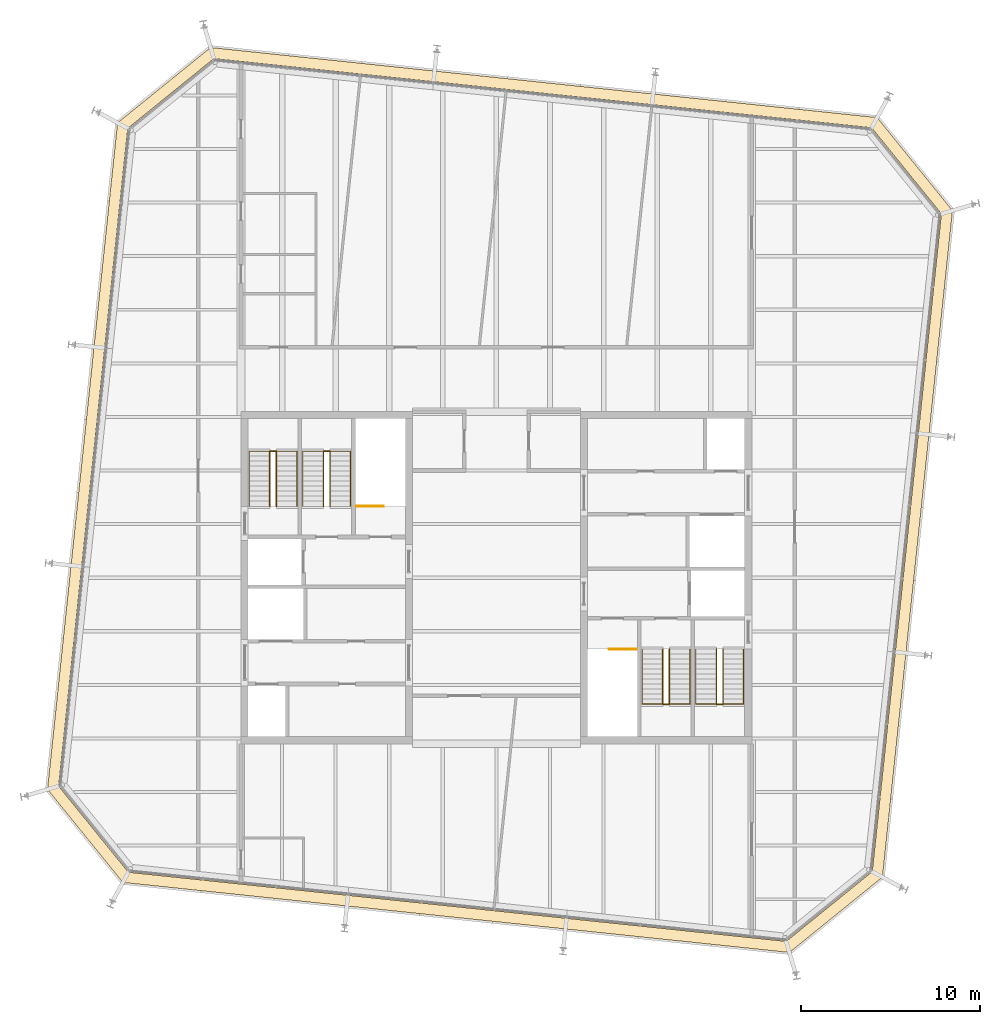
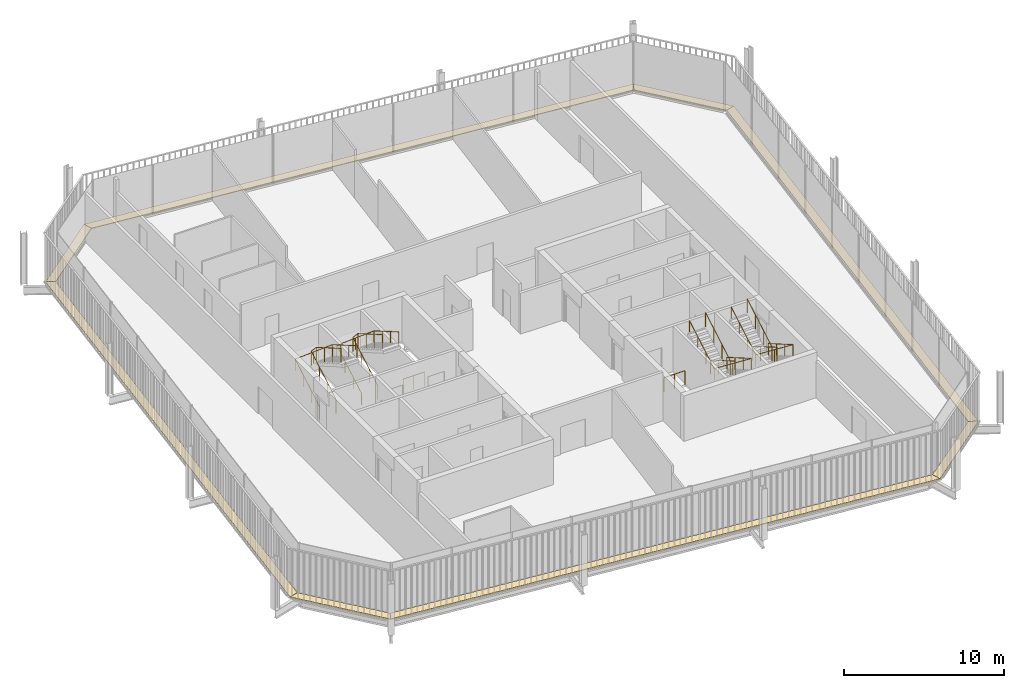
# One storey, part 19 of 19: 10 railings, 8 coverings.
"""IFC4 building model written with IfcOpenShell, lengths in metres."""

from ifc_helpers import new_model, si_unit, direction, frame, origin, origin_2d, place, context, subcontext, project, spatial, polyline, circle, outline, extrude, material, layer, layer_set, type_object, element, save


model = new_model("IFC4")

# Units and contexts
model_context = context("Model", 3, precision=1e-05, world=origin(), true_north=direction((0.0, 1.0)))
body_context = subcontext(model_context, "Body", "Model", "MODEL_VIEW")
ifc_project = project(units=[si_unit("LENGTHUNIT", "METRE"), si_unit("AREAUNIT", "SQUARE_METRE"), si_unit("VOLUMEUNIT", "CUBIC_METRE"), si_unit("PLANEANGLEUNIT", "RADIAN"), si_unit("MASSUNIT", "GRAM", prefix="KILO")], contexts=[model_context])

# Site, building, storey
site_placement = place(None, origin())
site = spatial("IfcSite", under=ifc_project, at=site_placement, CompositionType="ELEMENT")
building_placement = place(site_placement, origin())
building = spatial("IfcBuilding", under=site, at=building_placement, Name="Millrace Tower", CompositionType="ELEMENT")
storey_placement = place(building_placement, frame((0.0, 0.0, 338.199951171875)))
storey = spatial("IfcBuildingStorey", under=building, at=storey_placement, Name="L78", CompositionType="ELEMENT", Elevation=338.199951171875)

# Coverings
ifc_material_1 = material(Name="Steel ASTM A36", Category="steel")
ifc_layer = layer(ifc_material_1, 0.050048828125)
ifc_layer_set = layer_set([ifc_layer], Name="Steel ASTM A36")
covering_type = type_object("IfcCoveringType", Name="CAVITY CATWALK steel grating", PredefinedType="FLOORING", material=ifc_layer_set)
placement = place(storey_placement, frame((0.0, 0.0, 0.10009765625)))
element("IfcCovering", 1, at=placement, inside=storey, type_object=covering_type, Name="Cavity catwalk grating E-F01 L78 1", PredefinedType="FLOORING", context=body_context, shape_type="SweptSolid", body=[
    extrude(outline(polyline([(-25.13232421875, -11.8515625), (-20.914306640625, -17.060302734375), (-20.6044921875, -16.489501953125), (-24.509521484375, -11.6669921875), (-25.13232421875, -11.8515625)])), origin(), (0.0, 0.0, 1.0), 0.050048828125),
])
element("IfcCovering", 2, at=placement, inside=storey, type_object=covering_type, Name="Cavity catwalk grating E-F02 L78 1", PredefinedType="FLOORING", context=body_context, shape_type="SweptSolid", body=[
    extrude(outline(polyline([(-20.914306640625, -17.060302734375), (16.4013671875, -20.982177734375), (16.217041015625, -20.359619140625), (-20.6044921875, -16.489501953125), (-20.914306640625, -17.060302734375)])), origin(), (0.0, 0.0, 1.0), 0.050048828125),
])
element("IfcCovering", 3, at=placement, inside=storey, type_object=covering_type, Name="Cavity catwalk grating E-F03 L78 1", PredefinedType="FLOORING", context=body_context, shape_type="SweptSolid", body=[
    extrude(outline(polyline([(16.4013671875, -20.982177734375), (21.6103515625, -16.764404296875), (21.03955078125, -16.454345703125), (16.217041015625, -20.359619140625), (16.4013671875, -20.982177734375)])), origin(), (0.0, 0.0, 1.0), 0.050048828125),
])
element("IfcCovering", 4, at=placement, inside=storey, type_object=covering_type, Name="Cavity catwalk grating E-F04 L78 1", PredefinedType="FLOORING", context=body_context, shape_type="SweptSolid", body=[
    extrude(outline(polyline([(21.6103515625, -16.764404296875), (25.5322265625, 20.551513671875), (24.90966796875, 20.366943359375), (21.03955078125, -16.454345703125), (21.6103515625, -16.764404296875)])), origin(), (0.0, 0.0, 1.0), 0.050048828125),
])
element("IfcCovering", 5, at=placement, inside=storey, type_object=covering_type, Name="Cavity catwalk grating E-F05 L78 1", PredefinedType="FLOORING", context=body_context, shape_type="SweptSolid", body=[
    extrude(outline(polyline([(25.5322265625, 20.551513671875), (21.314208984375, 25.76025390625), (21.00439453125, 25.189453125), (24.90966796875, 20.366943359375), (25.5322265625, 20.551513671875)])), origin(), (0.0, 0.0, 1.0), 0.050048828125),
])
element("IfcCovering", 6, at=placement, inside=storey, type_object=covering_type, Name="Cavity catwalk grating E-F06 L78 1", PredefinedType="FLOORING", context=body_context, shape_type="SweptSolid", body=[
    extrude(outline(polyline([(21.314208984375, 25.76025390625), (-16.00146484375, 29.682373046875), (-15.817138671875, 29.0595703125), (21.00439453125, 25.189453125), (21.314208984375, 25.76025390625)])), origin(), (0.0, 0.0, 1.0), 0.050048828125),
])
element("IfcCovering", 7, at=placement, inside=storey, type_object=covering_type, Name="Cavity catwalk grating E-F07 L78 1", PredefinedType="FLOORING", context=body_context, shape_type="SweptSolid", body=[
    extrude(outline(polyline([(-16.00146484375, 29.682373046875), (-21.210205078125, 25.46435546875), (-20.639404296875, 25.154541015625), (-15.817138671875, 29.0595703125), (-16.00146484375, 29.682373046875)])), origin(), (0.0, 0.0, 1.0), 0.050048828125),
])
element("IfcCovering", 8, at=placement, inside=storey, type_object=covering_type, Name="Cavity catwalk grating E-F08 L78 1", PredefinedType="FLOORING", context=body_context, shape_type="SweptSolid", body=[
    extrude(outline(polyline([(-21.210205078125, 25.46435546875), (-25.13232421875, -11.8515625), (-24.509521484375, -11.6669921875), (-20.639404296875, 25.154541015625), (-21.210205078125, 25.46435546875)])), origin(), (0.0, 0.0, 1.0), 0.050048828125),
])

# Railings
ifc_material_2 = material(Name="Stainless steel ASTM A240 type 316", Category="steel")
railing_type_1 = type_object("IfcRailingType", Name="Stair guard 1100", PredefinedType="GUARDRAIL", material=ifc_material_2)
railing_1_placement = place(storey_placement, frame((-7.840087890625, 4.0, 0.0)))
element("IfcRailing", 9, at=railing_1_placement, inside=storey, type_object=railing_type_1, Name="Stair guard 3 W L78", PredefinedType="GUARDRAIL", context=body_context, shape_type="SweptSolid", body=[
    extrude(circle(Radius=0.02392578125, at=origin_2d()), frame((0.0, 0.0, 1.076171875), z_axis=(1.0, 0.0, 0.0), x_axis=(0.0, 1.0, 0.0)), (0.0, 0.0, 1.0), 1.52001953125),
    extrude(circle(Radius=0.02099609375, at=origin_2d()), origin(), (0.0, 0.0, 1.0), 1.052001953125),
    extrude(circle(Radius=0.02099609375, at=origin_2d()), frame((0.760009765625, 0.0, 0.0)), (0.0, 0.0, 1.0), 1.052001953125),
    extrude(circle(Radius=0.02099609375, at=origin_2d()), frame((1.52001953125, 0.0, 0.0)), (0.0, 0.0, 1.0), 1.052001953125),
])
for number, where, name in (
    (10, (-12.679931640625, 4.0, 0.16259765625), "Stair guard 1 W L78"),
    (11, (-9.679931640625, 4.0, 0.16259765625), "Stair guard 2 W L78"),
):
    element("IfcRailing", number, at=place(storey_placement, frame(where)), inside=storey, type_object=railing_type_1, Name=name, PredefinedType="GUARDRAIL", context=body_context, shape_type="SweptSolid", body=[
        extrude(circle(Radius=0.02392578125, at=origin_2d()), frame((0.0, 0.0, 1.076171875), z_axis=(0.0, 0.864920483161, 0.501908913857), x_axis=(-1.0, 0.0, 0.0)), (0.0, 0.0, 1.0), 3.56103515625),
        extrude(circle(Radius=0.02392578125, at=origin_2d()), frame((0.0, 3.080078125, 2.86328125), z_axis=(0.911295775139, 0.0, 0.411752365158), x_axis=(0.0, 1.0, 0.0)), (0.0, 0.0, 1.0), 0.394775390625),
        extrude(circle(Radius=0.02392578125, at=origin_2d()), frame((0.35986328125, 3.080078125, 3.02587890625), z_axis=(0.0, -0.864890721111, 0.501960198159), x_axis=(1.0, 0.0, 0.0)), (0.0, 0.0, 1.0), 3.561279296875),
        extrude(circle(Radius=0.02099609375, at=origin_2d()), origin(), (0.0, 0.0, 1.0), 1.052001953125),
        extrude(circle(Radius=0.02099609375, at=origin_2d()), frame((0.0, 1.026611328125, 0.595703125)), (0.0, 0.0, 1.0), 1.052001953125),
        extrude(circle(Radius=0.02099609375, at=origin_2d()), frame((0.0, 2.053466796875, 1.191650390625)), (0.0, 0.0, 1.0), 1.052001953125),
        extrude(circle(Radius=0.02099609375, at=origin_2d()), frame((0.0, 3.080078125, 1.787353515625)), (0.0, 0.0, 1.0), 1.052001953125),
        extrude(circle(Radius=0.02099609375, at=origin_2d()), frame((0.35986328125, 3.080078125, 1.949951171875)), (0.0, 0.0, 1.0), 1.052001953125),
        extrude(circle(Radius=0.02099609375, at=origin_2d()), frame((0.35986328125, 2.053466796875, 2.5458984375)), (0.0, 0.0, 1.0), 1.052001953125),
        extrude(circle(Radius=0.02099609375, at=origin_2d()), frame((0.35986328125, 1.026611328125, 3.1416015625)), (0.0, 0.0, 1.0), 1.052001953125),
        extrude(circle(Radius=0.02099609375, at=origin_2d()), frame((0.35986328125, 0.0, 3.737548828125)), (0.0, 0.0, 1.0), 1.052001953125),
    ])
railing_2_placement = place(storey_placement, frame((7.840087890625, -4.0, 0.0)))
element("IfcRailing", 12, at=railing_2_placement, inside=storey, type_object=railing_type_1, Name="Stair guard 3 E L78", PredefinedType="GUARDRAIL", context=body_context, shape_type="SweptSolid", body=[
    extrude(circle(Radius=0.02392578125, at=origin_2d()), frame((0.0, 0.0, 1.076171875), z_axis=(-1.0, 0.0, 0.0), x_axis=(0.0, -1.0, 0.0)), (0.0, 0.0, 1.0), 1.52001953125),
    extrude(circle(Radius=0.02099609375, at=origin_2d()), origin(), (0.0, 0.0, 1.0), 1.052001953125),
    extrude(circle(Radius=0.02099609375, at=origin_2d()), frame((-0.760009765625, 0.0, 0.0)), (0.0, 0.0, 1.0), 1.052001953125),
    extrude(circle(Radius=0.02099609375, at=origin_2d()), frame((-1.52001953125, 0.0, 0.0)), (0.0, 0.0, 1.0), 1.052001953125),
])
for number, where, name in (
    (13, (12.679931640625, -4.0, 0.16259765625), "Stair guard 1 E L78"),
    (14, (9.679931640625, -4.0, 0.16259765625), "Stair guard 2 E L78"),
):
    element("IfcRailing", number, at=place(storey_placement, frame(where)), inside=storey, type_object=railing_type_1, Name=name, PredefinedType="GUARDRAIL", context=body_context, shape_type="SweptSolid", body=[
        extrude(circle(Radius=0.02392578125, at=origin_2d()), frame((0.0, 0.0, 1.076171875), z_axis=(0.0, -0.864920483161, 0.501908913857), x_axis=(1.0, 0.0, 0.0)), (0.0, 0.0, 1.0), 3.56103515625),
        extrude(circle(Radius=0.02392578125, at=origin_2d()), frame((0.0, -3.080078125, 2.86328125), z_axis=(-0.911295775139, 0.0, 0.411752365158), x_axis=(0.0, -1.0, 0.0)), (0.0, 0.0, 1.0), 0.394775390625),
        extrude(circle(Radius=0.02392578125, at=origin_2d()), frame((-0.35986328125, -3.080078125, 3.02587890625), z_axis=(0.0, 0.864890721111, 0.501960198159), x_axis=(-1.0, 0.0, 0.0)), (0.0, 0.0, 1.0), 3.561279296875),
        extrude(circle(Radius=0.02099609375, at=origin_2d()), origin(), (0.0, 0.0, 1.0), 1.052001953125),
        extrude(circle(Radius=0.02099609375, at=origin_2d()), frame((0.0, -1.026611328125, 0.595703125)), (0.0, 0.0, 1.0), 1.052001953125),
        extrude(circle(Radius=0.02099609375, at=origin_2d()), frame((0.0, -2.053466796875, 1.191650390625)), (0.0, 0.0, 1.0), 1.052001953125),
        extrude(circle(Radius=0.02099609375, at=origin_2d()), frame((0.0, -3.080078125, 1.787353515625)), (0.0, 0.0, 1.0), 1.052001953125),
        extrude(circle(Radius=0.02099609375, at=origin_2d()), frame((-0.35986328125, -3.080078125, 1.949951171875)), (0.0, 0.0, 1.0), 1.052001953125),
        extrude(circle(Radius=0.02099609375, at=origin_2d()), frame((-0.35986328125, -2.053466796875, 2.5458984375)), (0.0, 0.0, 1.0), 1.052001953125),
        extrude(circle(Radius=0.02099609375, at=origin_2d()), frame((-0.35986328125, -1.026611328125, 3.1416015625)), (0.0, 0.0, 1.0), 1.052001953125),
        extrude(circle(Radius=0.02099609375, at=origin_2d()), frame((-0.35986328125, 0.0, 3.737548828125)), (0.0, 0.0, 1.0), 1.052001953125),
    ])
ifc_material_3 = material(Name="Stainless steel ASTM A240 type 316", Category="steel")
railing_type_2 = type_object("IfcRailingType", Name="Stair handrail 900", PredefinedType="HANDRAIL", material=ifc_material_3)
railing_3_placement = place(storey_placement, frame((-13.840087890625, 4.0, 0.16259765625)))
element("IfcRailing", 15, at=railing_3_placement, inside=storey, type_object=railing_type_2, Name="Stair handrail 1 W L78", PredefinedType="HANDRAIL", context=body_context, shape_type="SweptSolid", body=[
    extrude(circle(Radius=0.02392578125, at=origin_2d()), frame((0.0, 0.0, 0.8759765625), z_axis=(0.0, 0.864920483161, 0.501908913857), x_axis=(-1.0, 0.0, 0.0)), (0.0, 0.0, 1.0), 3.56103515625),
    extrude(circle(Radius=0.02392578125, at=origin_2d()), frame((0.0, 3.080078125, 2.6630859375), z_axis=(0.998164834547, 0.0, 0.060555454528), x_axis=(0.0, 1.0, 0.0)), (0.0, 0.0, 1.0), 2.68505859375),
    extrude(circle(Radius=0.02392578125, at=origin_2d()), frame((2.68017578125, 3.080078125, 2.82568359375), z_axis=(0.0, -0.864890721111, 0.501960198159), x_axis=(1.0, 0.0, 0.0)), (0.0, 0.0, 1.0), 3.561279296875),
    extrude(circle(Radius=0.02099609375, at=origin_2d()), origin(), (0.0, 0.0, 1.0), 0.851806640625),
    extrude(circle(Radius=0.02099609375, at=origin_2d()), frame((0.0, 1.026611328125, 0.595703125)), (0.0, 0.0, 1.0), 0.851806640625),
    extrude(circle(Radius=0.02099609375, at=origin_2d()), frame((0.0, 2.053466796875, 1.191650390625)), (0.0, 0.0, 1.0), 0.851806640625),
    extrude(circle(Radius=0.02099609375, at=origin_2d()), frame((0.0, 3.080078125, 1.787353515625)), (0.0, 0.0, 1.0), 0.851806640625),
    extrude(circle(Radius=0.02099609375, at=origin_2d()), frame((1.340087890625, 3.080078125, 1.86865234375)), (0.0, 0.0, 1.0), 0.851806640625),
    extrude(circle(Radius=0.02099609375, at=origin_2d()), frame((2.68017578125, 3.080078125, 1.949951171875)), (0.0, 0.0, 1.0), 0.851806640625),
    extrude(circle(Radius=0.02099609375, at=origin_2d()), frame((2.68017578125, 2.053466796875, 2.5458984375)), (0.0, 0.0, 1.0), 0.851806640625),
    extrude(circle(Radius=0.02099609375, at=origin_2d()), frame((2.68017578125, 1.026611328125, 3.1416015625)), (0.0, 0.0, 1.0), 0.851806640625),
    extrude(circle(Radius=0.02099609375, at=origin_2d()), frame((2.68017578125, 0.0, 3.737548828125)), (0.0, 0.0, 1.0), 0.851806640625),
])
railing_4_placement = place(storey_placement, frame((-10.840087890625, 4.0, 0.16259765625)))
element("IfcRailing", 16, at=railing_4_placement, inside=storey, type_object=railing_type_2, Name="Stair handrail 2 W L78", PredefinedType="HANDRAIL", context=body_context, shape_type="SweptSolid", body=[
    extrude(circle(Radius=0.02392578125, at=origin_2d()), frame((0.0, 0.0, 0.8759765625), z_axis=(0.0, 0.864920483161, 0.501908913857), x_axis=(-1.0, 0.0, 0.0)), (0.0, 0.0, 1.0), 3.56103515625),
    extrude(circle(Radius=0.02392578125, at=origin_2d()), frame((0.0, 3.080078125, 2.6630859375), z_axis=(0.998164834547, 0.0, 0.060555454528), x_axis=(0.0, 1.0, 0.0)), (0.0, 0.0, 1.0), 2.68505859375),
    extrude(circle(Radius=0.02392578125, at=origin_2d()), frame((2.68017578125, 3.080078125, 2.82568359375), z_axis=(0.0, -0.864890721111, 0.501960198159), x_axis=(1.0, 0.0, 0.0)), (0.0, 0.0, 1.0), 3.561279296875),
    extrude(circle(Radius=0.02099609375, at=origin_2d()), origin(), (0.0, 0.0, 1.0), 0.851806640625),
    extrude(circle(Radius=0.02099609375, at=origin_2d()), frame((0.0, 1.026611328125, 0.595703125)), (0.0, 0.0, 1.0), 0.851806640625),
    extrude(circle(Radius=0.02099609375, at=origin_2d()), frame((0.0, 2.053466796875, 1.191650390625)), (0.0, 0.0, 1.0), 0.851806640625),
    extrude(circle(Radius=0.02099609375, at=origin_2d()), frame((0.0, 3.080078125, 1.787353515625)), (0.0, 0.0, 1.0), 0.851806640625),
    extrude(circle(Radius=0.02099609375, at=origin_2d()), frame((1.340087890625, 3.080078125, 1.86865234375)), (0.0, 0.0, 1.0), 0.851806640625),
    extrude(circle(Radius=0.02099609375, at=origin_2d()), frame((2.68017578125, 3.080078125, 1.949951171875)), (0.0, 0.0, 1.0), 0.851806640625),
    extrude(circle(Radius=0.02099609375, at=origin_2d()), frame((2.68017578125, 2.053466796875, 2.5458984375)), (0.0, 0.0, 1.0), 0.851806640625),
    extrude(circle(Radius=0.02099609375, at=origin_2d()), frame((2.68017578125, 1.026611328125, 3.1416015625)), (0.0, 0.0, 1.0), 0.851806640625),
    extrude(circle(Radius=0.02099609375, at=origin_2d()), frame((2.68017578125, 0.0, 3.737548828125)), (0.0, 0.0, 1.0), 0.851806640625),
])
railing_5_placement = place(storey_placement, frame((13.840087890625, -4.0, 0.16259765625)))
element("IfcRailing", 17, at=railing_5_placement, inside=storey, type_object=railing_type_2, Name="Stair handrail 1 E L78", PredefinedType="HANDRAIL", context=body_context, shape_type="SweptSolid", body=[
    extrude(circle(Radius=0.02392578125, at=origin_2d()), frame((0.0, 0.0, 0.8759765625), z_axis=(0.0, -0.864920483161, 0.501908913857), x_axis=(1.0, 0.0, 0.0)), (0.0, 0.0, 1.0), 3.56103515625),
    extrude(circle(Radius=0.02392578125, at=origin_2d()), frame((0.0, -3.080078125, 2.6630859375), z_axis=(-0.998164834547, 0.0, 0.060555454528), x_axis=(0.0, -1.0, 0.0)), (0.0, 0.0, 1.0), 2.68505859375),
    extrude(circle(Radius=0.02392578125, at=origin_2d()), frame((-2.68017578125, -3.080078125, 2.82568359375), z_axis=(0.0, 0.864890721111, 0.501960198159), x_axis=(-1.0, 0.0, 0.0)), (0.0, 0.0, 1.0), 3.561279296875),
    extrude(circle(Radius=0.02099609375, at=origin_2d()), origin(), (0.0, 0.0, 1.0), 0.851806640625),
    extrude(circle(Radius=0.02099609375, at=origin_2d()), frame((0.0, -1.026611328125, 0.595703125)), (0.0, 0.0, 1.0), 0.851806640625),
    extrude(circle(Radius=0.02099609375, at=origin_2d()), frame((0.0, -2.053466796875, 1.191650390625)), (0.0, 0.0, 1.0), 0.851806640625),
    extrude(circle(Radius=0.02099609375, at=origin_2d()), frame((0.0, -3.080078125, 1.787353515625)), (0.0, 0.0, 1.0), 0.851806640625),
    extrude(circle(Radius=0.02099609375, at=origin_2d()), frame((-1.340087890625, -3.080078125, 1.86865234375)), (0.0, 0.0, 1.0), 0.851806640625),
    extrude(circle(Radius=0.02099609375, at=origin_2d()), frame((-2.68017578125, -3.080078125, 1.949951171875)), (0.0, 0.0, 1.0), 0.851806640625),
    extrude(circle(Radius=0.02099609375, at=origin_2d()), frame((-2.68017578125, -2.053466796875, 2.5458984375)), (0.0, 0.0, 1.0), 0.851806640625),
    extrude(circle(Radius=0.02099609375, at=origin_2d()), frame((-2.68017578125, -1.026611328125, 3.1416015625)), (0.0, 0.0, 1.0), 0.851806640625),
    extrude(circle(Radius=0.02099609375, at=origin_2d()), frame((-2.68017578125, 0.0, 3.737548828125)), (0.0, 0.0, 1.0), 0.851806640625),
])
railing_6_placement = place(storey_placement, frame((10.840087890625, -4.0, 0.16259765625)))
element("IfcRailing", 18, at=railing_6_placement, inside=storey, type_object=railing_type_2, Name="Stair handrail 2 E L78", PredefinedType="HANDRAIL", context=body_context, shape_type="SweptSolid", body=[
    extrude(circle(Radius=0.02392578125, at=origin_2d()), frame((0.0, 0.0, 0.8759765625), z_axis=(0.0, -0.864920483161, 0.501908913857), x_axis=(1.0, 0.0, 0.0)), (0.0, 0.0, 1.0), 3.56103515625),
    extrude(circle(Radius=0.02392578125, at=origin_2d()), frame((0.0, -3.080078125, 2.6630859375), z_axis=(-0.998164834547, 0.0, 0.060555454528), x_axis=(0.0, -1.0, 0.0)), (0.0, 0.0, 1.0), 2.68505859375),
    extrude(circle(Radius=0.02392578125, at=origin_2d()), frame((-2.68017578125, -3.080078125, 2.82568359375), z_axis=(0.0, 0.864890721111, 0.501960198159), x_axis=(-1.0, 0.0, 0.0)), (0.0, 0.0, 1.0), 3.561279296875),
    extrude(circle(Radius=0.02099609375, at=origin_2d()), origin(), (0.0, 0.0, 1.0), 0.851806640625),
    extrude(circle(Radius=0.02099609375, at=origin_2d()), frame((0.0, -1.026611328125, 0.595703125)), (0.0, 0.0, 1.0), 0.851806640625),
    extrude(circle(Radius=0.02099609375, at=origin_2d()), frame((0.0, -2.053466796875, 1.191650390625)), (0.0, 0.0, 1.0), 0.851806640625),
    extrude(circle(Radius=0.02099609375, at=origin_2d()), frame((0.0, -3.080078125, 1.787353515625)), (0.0, 0.0, 1.0), 0.851806640625),
    extrude(circle(Radius=0.02099609375, at=origin_2d()), frame((-1.340087890625, -3.080078125, 1.86865234375)), (0.0, 0.0, 1.0), 0.851806640625),
    extrude(circle(Radius=0.02099609375, at=origin_2d()), frame((-2.68017578125, -3.080078125, 1.949951171875)), (0.0, 0.0, 1.0), 0.851806640625),
    extrude(circle(Radius=0.02099609375, at=origin_2d()), frame((-2.68017578125, -2.053466796875, 2.5458984375)), (0.0, 0.0, 1.0), 0.851806640625),
    extrude(circle(Radius=0.02099609375, at=origin_2d()), frame((-2.68017578125, -1.026611328125, 3.1416015625)), (0.0, 0.0, 1.0), 0.851806640625),
    extrude(circle(Radius=0.02099609375, at=origin_2d()), frame((-2.68017578125, 0.0, 3.737548828125)), (0.0, 0.0, 1.0), 0.851806640625),
])

save(model, "model.ifc")
